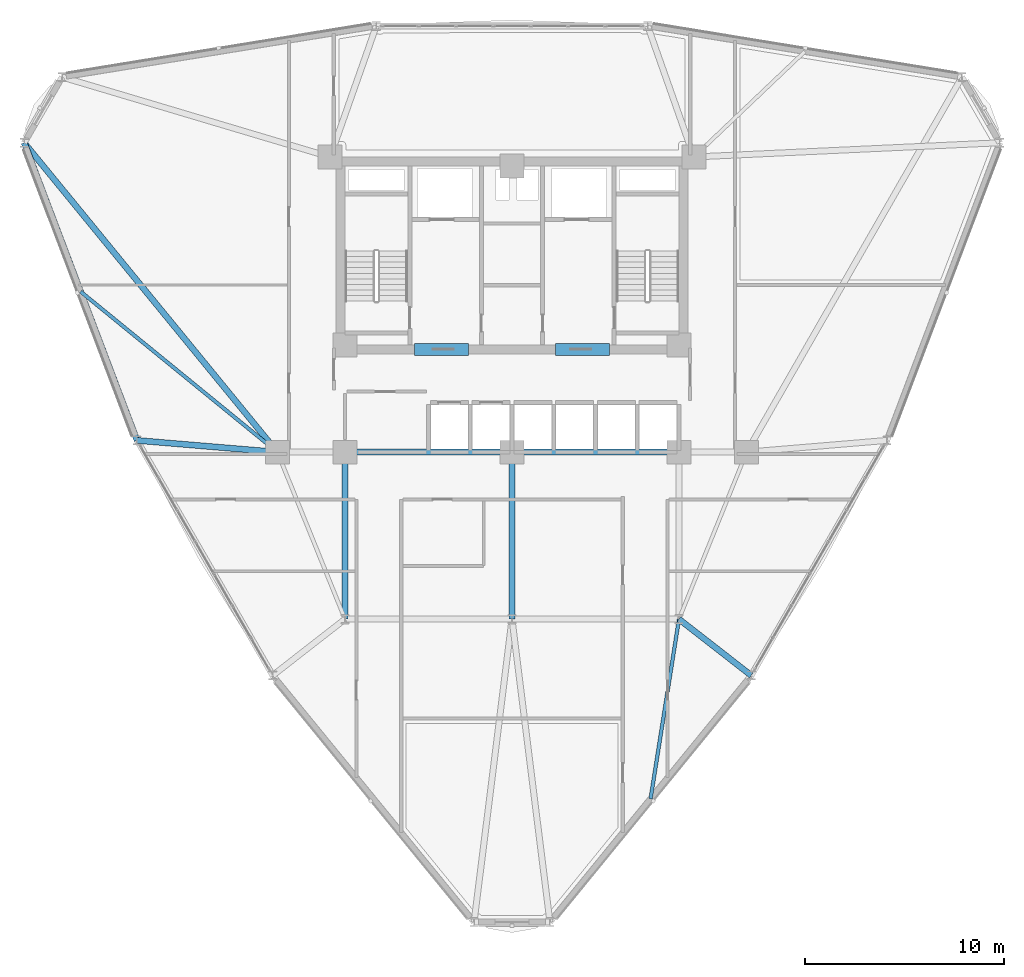
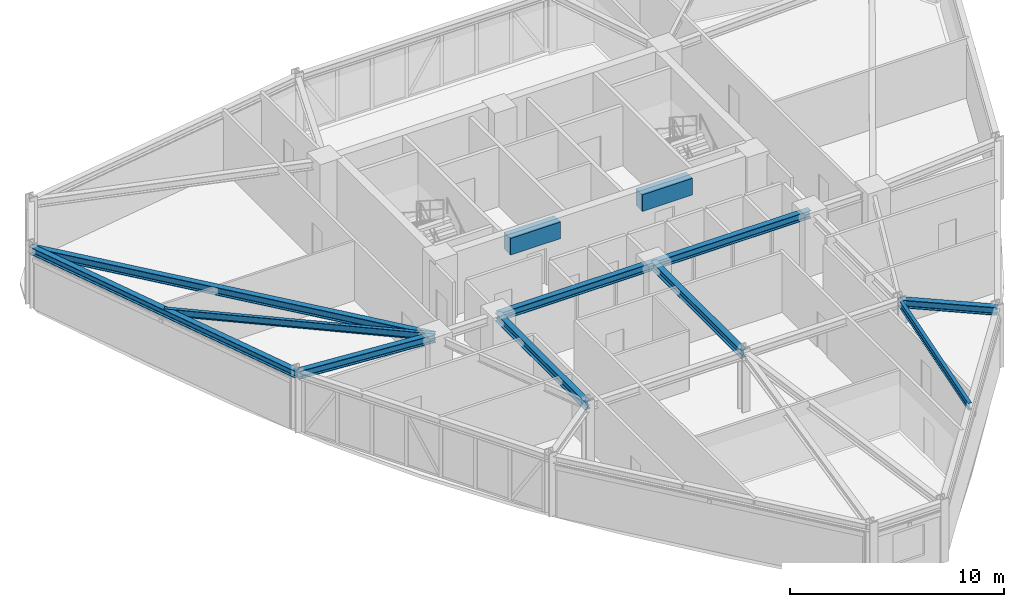
# One storey, part 5 of 17: 12 beams.
"""IFC4 building model written with IfcOpenShell, lengths in metres."""

from ifc_helpers import new_model, si_unit, derived_unit, direction, frame, origin, origin_2d, place, context, subcontext, project, spatial, rectangle, i_section, extrude, source, transform, mapped, material, material_profile, profile_set, type_object, element, save


model = new_model("IFC4")

# Units and contexts
model_context = context("Model", 3, precision=1e-05, world=origin(), true_north=direction((0.0, 1.0)))
body_context = subcontext(model_context, "Body", "Model", "MODEL_VIEW")
ifc_project = project(units=[si_unit("LENGTHUNIT", "METRE"), si_unit("AREAUNIT", "SQUARE_METRE"), si_unit("VOLUMEUNIT", "CUBIC_METRE"), si_unit("PLANEANGLEUNIT", "RADIAN"), si_unit("MASSUNIT", "GRAM", prefix="KILO"), derived_unit("THERMALTRANSMITTANCEUNIT", [(si_unit("POWERUNIT", "WATT"), 1), (si_unit("LENGTHUNIT", "METRE"), -2), (si_unit("THERMODYNAMICTEMPERATUREUNIT", "KELVIN"), -1)])], contexts=[model_context])

# Site, building, storey
site_placement = place(None, origin())
site = spatial("IfcSite", under=ifc_project, at=site_placement, CompositionType="ELEMENT")
building_placement = place(site_placement, origin())
building = spatial("IfcBuilding", under=site, at=building_placement, Name="Korsvarv Bourse and Concert Hall", CompositionType="ELEMENT")
storey_placement = place(building_placement, frame((0.0, 0.0, 120.60009765625)))
storey = spatial("IfcBuildingStorey", under=building, at=storey_placement, Name="L30", CompositionType="ELEMENT", Elevation=120.60009765625)

# Beams
ifc_material_1 = material(Name="Concrete C55/67", Category="concrete")
ifc_material_profile_1 = material_profile(ifc_material_1, rectangle(XDim=0.60009765625, YDim=0.949951171875, at=origin_2d()), Name="RC-BM 600x950")
ifc_profile_set_1 = profile_set([ifc_material_profile_1], Name="Concrete C55/67")
beam_type_1 = type_object("IfcBeamType", Name="BM-CPL", PredefinedType="LINTEL", material=ifc_profile_set_1)
shared_shape_1 = source(origin(), body_context, "Body", "SweptSolid", [
    extrude(rectangle(XDim=0.60009765625, YDim=0.949951171875, at=origin_2d()), origin(), (0.0, 0.0, 1.0), 2.699951171875),
])
for number, where, z_axis, x_axis, name in (
    (1, (31.10009765625, 37.574951171875, 2.9248046875), (1.0, 0.0, 0.0), (0.0, 1.0, 0.0), "L30 Core Coupling Beam West"),
    (2, (38.199951171875, 37.574951171875, 2.9248046875), (1.0, 0.0, 0.0), (0.0, 1.0, 0.0), "L30 Core Coupling Beam East"),
):
    element("IfcBeam", number, at=place(storey_placement, frame(where, z_axis=z_axis, x_axis=x_axis)), inside=storey, type_object=beam_type_1, Name=name, PredefinedType="LINTEL", context=body_context, shape_type="MappedRepresentation", body=[
        mapped(shared_shape_1, transform((0.0, 0.0, 0.0), scale=1.0)),
    ])
ifc_material_2 = material(Name="Steel S355", Category="steel")
ifc_material_profile_2 = material_profile(ifc_material_2, i_section(OverallWidth=0.300048828125, OverallDepth=0.449951171875, WebThickness=0.013916015625, FlangeThickness=0.02587890625, FilletRadius=0.02099609375, at=origin_2d()), Name="HEB 450")
ifc_profile_set_2 = profile_set([ifc_material_profile_2], Name="Steel S355")
beam_type_2 = type_object("IfcBeamType", Name="BM-HEB450", PredefinedType="SPANDREL", material=ifc_profile_set_2)
shared_shape_2 = source(origin(), body_context, "Body", "SweptSolid", [
    extrude(i_section(OverallWidth=0.300048828125, OverallDepth=0.449951171875, WebThickness=0.013916015625, FlangeThickness=0.02587890625, FilletRadius=0.02099609375, at=origin_2d()), origin(), (0.0, 0.0, 1.0), 8.39990234375),
])
for number, where, z_axis, x_axis, name in (
    (3, (27.60009765625, 32.39990234375, 3.1748046875), (1.0, 0.0, 0.0), (0.0, 1.0, 0.0), "L30 beam B-08"),
    (4, (36.0, 32.39990234375, 3.1748046875), (1.0, 0.0, 0.0), (0.0, 1.0, 0.0), "L30 beam B-08"),
    (5, (27.60009765625, 24.0, 3.1748046875), (0.0, 1.0, 0.0), (-1.0, 0.0, 0.0), "L30 beam B-08"),
    (6, (36.0, 24.0, 3.1748046875), (0.0, 1.0, 0.0), (-1.0, 0.0, 0.0), "L30 beam B-08"),
):
    element("IfcBeam", number, at=place(storey_placement, frame(where, z_axis=z_axis, x_axis=x_axis)), inside=storey, type_object=beam_type_2, Name=name, PredefinedType="SPANDREL", context=body_context, shape_type="MappedRepresentation", body=[
        mapped(shared_shape_2, transform((0.0, 0.0, 0.0), scale=1.0)),
    ])
ifc_material_profile_3 = material_profile(ifc_material_2, i_section(OverallWidth=0.300048828125, OverallDepth=0.39990234375, WebThickness=0.013427734375, FlangeThickness=0.02392578125, FilletRadius=0.02099609375, at=origin_2d()), Name="HEB 400")
ifc_profile_set_3 = profile_set([ifc_material_profile_3], Name="Steel S355")
beam_type_3 = type_object("IfcBeamType", Name="BM-HEB400", PredefinedType="SPANDREL", material=ifc_profile_set_3)
shared_shape_3 = source(origin(), body_context, "Body", "SweptSolid", [
    extrude(i_section(OverallWidth=0.300048828125, OverallDepth=0.39990234375, WebThickness=0.013427734375, FlangeThickness=0.02392578125, FilletRadius=0.02099609375, at=origin_2d()), origin(), (0.0, 0.0, 1.0), 16.0146484375),
])
beam_1_placement = place(storey_placement, frame((11.458251953125, 47.966064453125, 3.199951171875), z_axis=(0.354515902653, -0.93504998517, 0.0), x_axis=(0.93504998517, 0.354515902653, 0.0)))
element("IfcBeam", 7, at=beam_1_placement, inside=storey, type_object=beam_type_3, Name="L30 beam B-09", PredefinedType="SPANDREL", context=body_context, shape_type="MappedRepresentation", body=[
    mapped(shared_shape_3, transform((0.0, 0.0, 0.0), scale=1.0)),
])
shared_shape_4 = source(origin(), body_context, "Body", "SweptSolid", [
    extrude(i_section(OverallWidth=0.300048828125, OverallDepth=0.449951171875, WebThickness=0.013916015625, FlangeThickness=0.02587890625, FilletRadius=0.02099609375, at=origin_2d()), origin(), (0.0, 0.0, 1.0), 20.115966796875),
])
beam_2_placement = place(storey_placement, frame((11.458251953125, 47.966064453125, 3.1748046875), z_axis=(0.63340894884, -0.773817228762, 0.0), x_axis=(0.773817228762, 0.63340894884, 0.0)))
element("IfcBeam", 8, at=beam_2_placement, inside=storey, type_object=beam_type_2, Name="L30 beam B-08", PredefinedType="SPANDREL", context=body_context, shape_type="MappedRepresentation", body=[
    mapped(shared_shape_4, transform((0.0, 0.0, 0.0), scale=1.0)),
])
shared_shape_5 = source(origin(), body_context, "Body", "SweptSolid", [
    extrude(i_section(OverallWidth=0.300048828125, OverallDepth=0.449951171875, WebThickness=0.013916015625, FlangeThickness=0.02587890625, FilletRadius=0.02099609375, at=origin_2d()), origin(), (0.0, 0.0, 1.0), 7.0888671875),
])
beam_3_placement = place(storey_placement, frame((17.1357421875, 32.991455078125, 3.1748046875), z_axis=(0.996512187592, -0.083447348558, 0.0), x_axis=(0.083447348558, 0.996512187592, 0.0)))
element("IfcBeam", 9, at=beam_3_placement, inside=storey, type_object=beam_type_2, Name="L30 beam B-08", PredefinedType="SPANDREL", context=body_context, shape_type="MappedRepresentation", body=[
    mapped(shared_shape_5, transform((0.0, 0.0, 0.0), scale=1.0)),
])
shared_shape_6 = source(origin(), body_context, "Body", "SweptSolid", [
    extrude(i_section(OverallWidth=0.300048828125, OverallDepth=0.449951171875, WebThickness=0.013916015625, FlangeThickness=0.02587890625, FilletRadius=0.02099609375, at=origin_2d()), origin(), (0.0, 0.0, 1.0), 4.610595703125),
])
beam_4_placement = place(storey_placement, frame((48.03759765625, 21.167236328125, 3.1748046875), z_axis=(-0.788989967488, 0.614406080051, 0.0), x_axis=(-0.614406080051, -0.788989967488, 0.0)))
element("IfcBeam", 10, at=beam_4_placement, inside=storey, type_object=beam_type_2, Name="L30 beam B-08", PredefinedType="SPANDREL", context=body_context, shape_type="MappedRepresentation", body=[
    mapped(shared_shape_6, transform((0.0, 0.0, 0.0), scale=1.0)),
])
ifc_material_profile_4 = material_profile(ifc_material_2, i_section(OverallWidth=0.179931640625, OverallDepth=0.39990234375, WebThickness=0.008544921875, FlangeThickness=0.013427734375, FilletRadius=0.02099609375, at=origin_2d()), Name="IPE 400")
ifc_profile_set_4 = profile_set([ifc_material_profile_4], Name="Steel S355")
beam_type_4 = type_object("IfcBeamType", Name="BM-IPE400", PredefinedType="JOIST", material=ifc_profile_set_4)
shared_shape_7 = source(origin(), body_context, "Body", "SweptSolid", [
    extrude(i_section(OverallWidth=0.179931640625, OverallDepth=0.39990234375, WebThickness=0.008544921875, FlangeThickness=0.013427734375, FilletRadius=0.02099609375, at=origin_2d()), origin(), (0.0, 0.0, 1.0), 12.780517578125),
])
beam_5_placement = place(storey_placement, frame((14.296875, 40.478759765625, 3.199951171875), z_axis=(0.774863789618, -0.632128236625, 0.0), x_axis=(0.632128236625, 0.774863789618, 0.0)))
element("IfcBeam", 11, at=beam_5_placement, inside=storey, type_object=beam_type_4, Name="L30 beam J-05", PredefinedType="JOIST", context=body_context, shape_type="MappedRepresentation", body=[
    mapped(shared_shape_7, transform((0.0, 0.0, 0.0), scale=1.0)),
])
shared_shape_8 = source(origin(), body_context, "Body", "SweptSolid", [
    extrude(i_section(OverallWidth=0.179931640625, OverallDepth=0.39990234375, WebThickness=0.008544921875, FlangeThickness=0.013427734375, FilletRadius=0.02099609375, at=origin_2d()), origin(), (0.0, 0.0, 1.0), 9.14697265625),
])
beam_6_placement = place(storey_placement, frame((42.972900390625, 14.965087890625, 3.199951171875), z_axis=(0.156009174426, 0.987755606157, 0.0), x_axis=(-0.987755606157, 0.156009174426, 0.0)))
element("IfcBeam", 12, at=beam_6_placement, inside=storey, type_object=beam_type_4, Name="L30 beam J-05", PredefinedType="JOIST", context=body_context, shape_type="MappedRepresentation", body=[
    mapped(shared_shape_8, transform((0.0, 0.0, 0.0), scale=1.0)),
])

save(model, "model.ifc")
